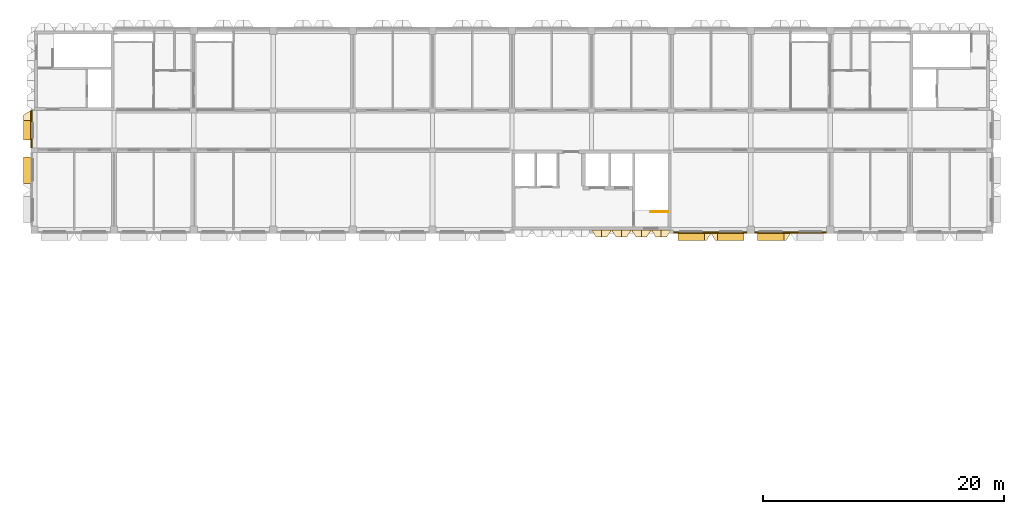
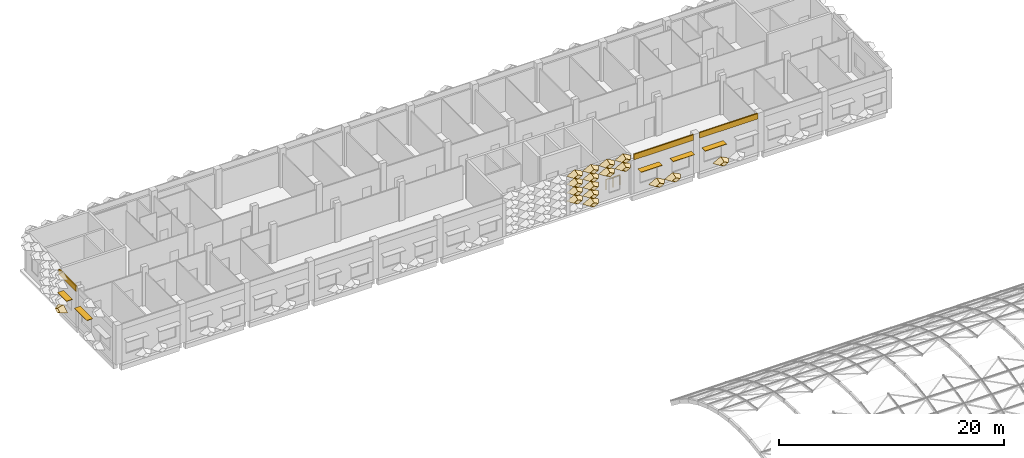
# One storey, part 73 of 85: 20 coverings, 5 shading devices, 1 railing.
"""IFC4 building model written with IfcOpenShell, lengths in metres."""

import ifcopenshell
import ifcopenshell.guid

model = None  # the IFC model being written
_history = None  # IfcOwnerHistory: only IFC2X3 demands one
_inside = {}  # id of a spatial element -> (the spatial element, [elements in it])
_under = {}  # id of a project, library or spatial element -> (it, [spatial elements below it])
_declared = {}  # id of a project -> (the project, [libraries it declares])
_typed = {}  # id of a type object -> (the type object, [elements of that type])
_made_of = {}  # id of a material, layer set ... -> (it, [elements and type objects made of it])


def new_model(schema):
    """Start an empty IFC model of exactly this schema.

    Asked for "IFC4X3", IfcOpenShell would pick the latest addendum, in which some entities
    have other attributes; the version numbers below select the first issue.
    IFC2X3 requires an IfcOwnerHistory on every rooted entity: one is made here for all.
    """
    global model, _history
    if schema == "IFC4X3":
        model = ifcopenshell.file(schema_version=(4, 3, 0, 0))
    else:
        model = ifcopenshell.file(schema=schema)
    _inside.clear()
    _under.clear()
    _declared.clear()
    _typed.clear()
    _made_of.clear()
    _history = None
    if model.schema == "IFC2X3":
        org = make("IfcOrganization", Name="unknown")
        user = make(
            "IfcPersonAndOrganization",
            ThePerson=make("IfcPerson", FamilyName="unknown"),
            TheOrganization=org,
        )
        app = make(
            "IfcApplication",
            ApplicationDeveloper=org,
            Version="unknown",
            ApplicationFullName="unknown",
            ApplicationIdentifier="unknown",
        )
        _history = make(
            "IfcOwnerHistory",
            OwningUser=user,
            OwningApplication=app,
            ChangeAction="ADDED",
            CreationDate=0,
        )
    return model


def make(cls, **values):
    """One entity of the class cls with the attributes given. An attribute that is None is left unset."""
    return model.create_entity(
        cls, **{name: value for name, value in values.items() if value is not None}
    )


def entity(cls, *values):
    """Any entity or typed value of the class cls, its attributes in the order of the schema. None: left unset."""
    e = model.create_entity(cls)
    for i, value in enumerate(values):
        if value is not None:
            e[i] = value
    return e


def rooted(cls, **values):
    """An entity with a GlobalId (a new one), such as an element, a storey or a relation."""
    return make(cls, GlobalId=ifcopenshell.guid.new(), OwnerHistory=_history, **values)


def si_unit(unit_type, name, prefix=None):
    """IfcSIUnit, for example si_unit("LENGTHUNIT", "METRE", prefix="MILLI")."""
    return make("IfcSIUnit", UnitType=unit_type, Prefix=prefix, Name=name)


def assignment(units):
    """IfcUnitAssignment: the units of a project."""
    return None if units is None else make("IfcUnitAssignment", Units=units)


def point(xyz):
    """IfcCartesianPoint."""
    return None if xyz is None else make("IfcCartesianPoint", Coordinates=xyz)


def direction(xyz):
    """IfcDirection."""
    return None if xyz is None else make("IfcDirection", DirectionRatios=xyz)


def frame(location, z_axis=None, x_axis=None):
    """IfcAxis2Placement3D, a coordinate frame: its origin and axes. An axis left out is left unset."""
    return make(
        "IfcAxis2Placement3D",
        Location=point(location),
        Axis=direction(z_axis),
        RefDirection=direction(x_axis),
    )


def frame_2d(location, x_axis=None):
    """IfcAxis2Placement2D, a coordinate frame in the plane: its origin and x axis."""
    return make(
        "IfcAxis2Placement2D", Location=point(location), RefDirection=direction(x_axis)
    )


def origin():
    """The frame at (0, 0, 0) with its axes left unset."""
    return frame((0.0, 0.0, 0.0))


def origin_2d():
    """The frame at (0, 0) in the plane with its x axis left unset."""
    return frame_2d((0.0, 0.0))


def place(relative_to, where):
    """IfcLocalPlacement: puts the frame where relative to a parent placement (None: the world)."""
    return make(
        "IfcLocalPlacement", PlacementRelTo=relative_to, RelativePlacement=where
    )


def context(
    kind, dimensions, precision=None, world=None, true_north=None, identifier=None
):
    """IfcGeometricRepresentationContext, for example the 3D "Model" context."""
    return make(
        "IfcGeometricRepresentationContext",
        ContextIdentifier=identifier,
        ContextType=kind,
        CoordinateSpaceDimension=dimensions,
        Precision=precision,
        WorldCoordinateSystem=world,
        TrueNorth=true_north,
    )


def subcontext(parent, identifier, kind, view, scale=None):
    """IfcGeometricRepresentationSubContext, for example "Body" below "Model"."""
    return make(
        "IfcGeometricRepresentationSubContext",
        ContextIdentifier=identifier,
        ContextType=kind,
        ParentContext=parent,
        TargetScale=scale,
        TargetView=view,
    )


def project(units=None, contexts=None):
    """IfcProject with its units and contexts."""
    return rooted(
        "IfcProject",
        Name="project",
        RepresentationContexts=contexts,
        UnitsInContext=assignment(units),
    )


def spatial(cls, under=None, at=None, **own):
    """A site, building, storey or space (cls), placed at a placement, below another one or the project."""
    s = rooted(cls, ObjectPlacement=at, **own)
    if under is not None:
        _under.setdefault(under.id(), (under, []))[1].append(s)
    return s


def profile(cls, at=None, kind="AREA", **sizes):
    """A parametric profile (cls). Its sizes go by their IFC names, for example OverallWidth=200.0."""
    return make(cls, ProfileType=kind, Position=at, **sizes)


def rectangle(**sizes):
    """IfcRectangleProfileDef."""
    return profile("IfcRectangleProfileDef", **sizes)


def circle(**sizes):
    """IfcCircleProfileDef."""
    return profile("IfcCircleProfileDef", **sizes)


def extrude(swept, where, along, depth):
    """IfcExtrudedAreaSolid: the profile swept, set in the frame where, extruded along a direction by depth."""
    return make(
        "IfcExtrudedAreaSolid",
        SweptArea=swept,
        Position=where,
        ExtrudedDirection=direction(along),
        Depth=depth,
    )


def shape(context_of_items, identifier, shape_type, items):
    """IfcShapeRepresentation: the items that make up one representation, for example the "Body"."""
    return make(
        "IfcShapeRepresentation",
        ContextOfItems=context_of_items,
        RepresentationIdentifier=identifier,
        RepresentationType=shape_type,
        Items=items,
    )


def material(Name=None, Category=None):
    """IfcMaterial."""
    return make("IfcMaterial", Name=Name, Category=Category)


def layer(
    of_material, thickness, ventilated=None, Name=None, Category=None, Priority=None
):
    """IfcMaterialLayer: one layer of a wall or slab, of a material (None: an air gap)."""
    return make(
        "IfcMaterialLayer",
        Material=of_material,
        LayerThickness=thickness,
        IsVentilated=ventilated,
        Name=Name,
        Category=Category,
        Priority=Priority,
    )


def layer_set(layers, Name=None):
    """IfcMaterialLayerSet."""
    return make("IfcMaterialLayerSet", MaterialLayers=layers, LayerSetName=Name)


def made_of(thing, what):
    """Note that an element or type object is made of a material, layer set ...; save() writes the relation."""
    if what is not None:
        _made_of.setdefault(what.id(), (what, []))[1].append(thing)
    return thing


def type_object(cls, material=None, **own):
    """A type object (cls), such as IfcWallType, which elements share."""
    return made_of(rooted(cls, **own), material)


def element(
    cls,
    number,
    at=None,
    inside=None,
    cuts=None,
    type_object=None,
    material=None,
    context=None,
    identifier="Body",
    shape_type=None,
    held_by="IfcProductDefinitionShape",
    body=None,
    shapes=None,
    **own,
):
    """One element of the class cls, such as IfcWall. Its Tag is "e" and its number.

    at: its placement. inside: the storey or other place that contains it. cuts: it is an
    opening in that element (IfcRelVoidsElement). A single representation is given by context,
    identifier, shape_type and body (its items); several are given by shapes. held_by: the class
    of the entity that holds the representations. save() writes the other relations.
    """
    e = rooted(cls, Tag="e%d" % number, ObjectPlacement=at, **own)
    if body is not None:
        shapes = [shape(context, identifier, shape_type, body)]
    if shapes is not None:
        e.Representation = make(held_by, Representations=shapes)
    if inside is not None:
        _inside.setdefault(inside.id(), (inside, []))[1].append(e)
    if cuts is not None:
        rooted(
            "IfcRelVoidsElement", RelatingBuildingElement=cuts, RelatedOpeningElement=e
        )
    if type_object is not None:
        _typed.setdefault(type_object.id(), (type_object, []))[1].append(e)
    return made_of(e, material)


def aggregate(whole, parts):
    """IfcRelAggregates: a whole, such as a stair, and the parts it consists of."""
    return rooted("IfcRelAggregates", RelatingObject=whole, RelatedObjects=parts)


def save(model, path):
    """Write the relations noted so far, then the file.

    IfcRelAggregates (storeys below a building ...), IfcRelContainedInSpatialStructure (elements
    in a storey), IfcRelDefinesByType, IfcRelAssociatesMaterial and IfcRelDeclares: one each for
    every whole, place, type object, material and project.
    """
    for whole, parts in _under.values():
        aggregate(whole, parts)
    for where, things in _inside.values():
        rooted(
            "IfcRelContainedInSpatialStructure",
            RelatedElements=things,
            RelatingStructure=where,
        )
    for kind, things in _typed.values():
        rooted("IfcRelDefinesByType", RelatedObjects=things, RelatingType=kind)
    for what, things in _made_of.values():
        rooted("IfcRelAssociatesMaterial", RelatedObjects=things, RelatingMaterial=what)
    for by, libraries in _declared.values():
        rooted("IfcRelDeclares", RelatingContext=by, RelatedDefinitions=libraries)
    model.write(path)


model = new_model("IFC4")

# Units and contexts
model_context = context("Model", 3, precision=1e-05, world=origin(), true_north=direction((0.0, 1.0)))
body_context = subcontext(model_context, "Body", "Model", "MODEL_VIEW")
ifc_project = project(units=[si_unit("LENGTHUNIT", "METRE"), si_unit("AREAUNIT", "SQUARE_METRE"), si_unit("VOLUMEUNIT", "CUBIC_METRE"), si_unit("PLANEANGLEUNIT", "RADIAN"), si_unit("MASSUNIT", "GRAM", prefix="KILO")], contexts=[model_context])

# Site, building, storey
site_placement = place(None, origin())
site = spatial("IfcSite", under=ifc_project, at=site_placement, CompositionType="ELEMENT")
building_placement = place(site_placement, origin())
building = spatial("IfcBuilding", under=site, at=building_placement, Name="Lantern Court Research Institute", CompositionType="ELEMENT")
storey_placement = place(building_placement, frame((0.0, 0.0, 18.89990234375)))
storey = spatial("IfcBuildingStorey", under=building, at=storey_placement, Name="L04", CompositionType="ELEMENT", Elevation=18.89990234375)

# Shading devices
ifc_material_1 = material(Name="Aluminium alloy 6063-T6", Category="aluminium")
ifc_layer_1 = layer(ifc_material_1, 0.050048828125)
ifc_layer_set_1 = layer_set([ifc_layer_1], Name="Aluminium alloy 6063-T6")
shading_device_type_1 = type_object("IfcShadingDeviceType", Name="Brise-soleil blade 1600 x 600 x 50 aluminium", PredefinedType="USERDEFINED", material=ifc_layer_set_1)
shading_device_placement = place(storey_placement, frame((-0.60009765625, 90.75, 2.39990234375), z_axis=(0.0, 0.0, 1.0), x_axis=(0.0, 1.0, 0.0)))
element("IfcShadingDevice", 1, at=shading_device_placement, inside=storey, type_object=shading_device_type_1, Name="Brise-soleil blade L04 W", ObjectType="LOUVRE", PredefinedType="USERDEFINED", context=body_context, shape_type="SweptSolid", body=[
    extrude(rectangle(XDim=1.60009765625, YDim=0.60009765625, at=origin_2d()), origin(), (0.0, 0.0, 1.0), 0.050048828125),
])
ifc_material_2 = material(Name="Aluminium alloy 6063-T6", Category="aluminium")
ifc_layer_2 = layer(ifc_material_2, 0.050048828125)
ifc_layer_set_2 = layer_set([ifc_layer_2], Name="Aluminium alloy 6063-T6")
shading_device_type_2 = type_object("IfcShadingDeviceType", Name="Brise-soleil blade 2200 x 600 x 50 aluminium", PredefinedType="USERDEFINED", material=ifc_layer_set_2)
for number, where, z_axis, x_axis, name in (
    (2, (54.449951171875, 81.89990234375, 2.5), (0.0, 0.0, 1.0), (-1.0, 0.0, 0.0), "Brise-soleil blade L04 S"),
    (3, (57.75, 81.89990234375, 2.5), (0.0, 0.0, 1.0), (-1.0, 0.0, 0.0), "Brise-soleil blade L04 S"),
    (4, (61.050048828125, 81.89990234375, 2.5), (0.0, 0.0, 1.0), (-1.0, 0.0, 0.0), "Brise-soleil blade L04 S"),
    (5, (-0.60009765625, 87.449951171875, 2.5), (0.0, 0.0, 1.0), (0.0, 1.0, 0.0), "Brise-soleil blade L04 W"),
):
    element("IfcShadingDevice", number, at=place(storey_placement, frame(where, z_axis=z_axis, x_axis=x_axis)), inside=storey, type_object=shading_device_type_2, Name=name, ObjectType="LOUVRE", PredefinedType="USERDEFINED", context=body_context, shape_type="SweptSolid", body=[
        extrude(rectangle(XDim=2.199951171875, YDim=0.60009765625, at=origin_2d()), origin(), (0.0, 0.0, 1.0), 0.050048828125),
    ])

# Coverings
ifc_material_3 = material(Name="Aluminium composite panel with mineral wool insulation", Category="aluminium")
ifc_layer_3 = layer(ifc_material_3, 0.125)
ifc_layer_set_3 = layer_set([ifc_layer_3], Name="Aluminium composite panel with mineral wool insulation")
covering_type_1 = type_object("IfcCoveringType", Name="Edge fascia panel 125 aluminium faced", PredefinedType="CLADDING", material=ifc_layer_set_3)
covering_1_placement = place(storey_placement, frame((59.10009765625, 82.262451171875, 3.650146484375), z_axis=(0.0, 0.0, 1.0), x_axis=(-1.0, 0.0, 0.0)))
element("IfcCovering", 6, at=covering_1_placement, inside=storey, type_object=covering_type_1, Name="Edge fascia V6S L04 07", PredefinedType="CLADDING", context=body_context, shape_type="SweptSolid", body=[
    extrude(rectangle(XDim=6.125, YDim=0.125, at=frame_2d((3.0625, 0.0))), origin(), (0.0, 0.0, 1.0), 0.599853515625),
])
covering_2_placement = place(storey_placement, frame((65.699951171875, 82.262451171875, 3.650146484375), z_axis=(0.0, 0.0, 1.0), x_axis=(-1.0, 0.0, 0.0)))
element("IfcCovering", 7, at=covering_2_placement, inside=storey, type_object=covering_type_1, Name="Edge fascia V6S L04 08", PredefinedType="CLADDING", context=body_context, shape_type="SweptSolid", body=[
    extrude(rectangle(XDim=6.0, YDim=0.125, at=frame_2d((3.0, 0.0))), origin(), (0.0, 0.0, 1.0), 0.599853515625),
])
covering_3_placement = place(storey_placement, frame((-0.237548828125, 89.300048828125, 3.650146484375), z_axis=(0.0, 0.0, 1.0), x_axis=(0.0, 1.0, 0.0)))
element("IfcCovering", 8, at=covering_3_placement, inside=storey, type_object=covering_type_1, Name="Edge fascia V6W L04 02", PredefinedType="CLADDING", context=body_context, shape_type="SweptSolid", body=[
    extrude(rectangle(XDim=3.099853515625, YDim=0.125, at=frame_2d((1.5498046875, 0.0))), origin(), (0.0, 0.0, 1.0), 0.599853515625),
])
ifc_material_4 = material(Name="Anodised aluminium", Category="aluminium")
ifc_layer_4 = layer(ifc_material_4, 0.01611328125)
ifc_layer_set_4 = layer_set([ifc_layer_4], Name="Anodised aluminium")
covering_type_2 = type_object("IfcCoveringType", Name="Fin cassette 1650 x 900 x 600 aluminium", PredefinedType="CLADDING", material=ifc_layer_set_4)
covering_4_placement = place(storey_placement, frame((48.675048828125, 82.5, 0.4501953125), z_axis=(0.0, -1.0, 0.0), x_axis=(1.0, 0.0, 0.0)))
cartesian_point_1 = entity("IfcCartesianPoint", [0.824951171875, 0.0])
cartesian_point_2 = entity("IfcCartesianPoint", [0.79150390625, 0.0])
cartesian_point_3 = entity("IfcCartesianPoint", [0.44189453125, 0.0])
cartesian_point_4 = entity("IfcCartesianPoint", [0.43359375, 0.0])
element("IfcCovering", 9, at=covering_4_placement, inside=storey, type_object=covering_type_2, Name="Fin cassette V6S-L04 1.30", PredefinedType="CLADDING", context=body_context, shape_type="SweptSolid", body=[
    entity("IfcExtrudedAreaSolidTapered", entity("IfcArbitraryProfileDefWithVoids", "AREA", None, entity("IfcPolyline", [cartesian_point_1, entity("IfcCartesianPoint", [0.0, 0.449951171875]), entity("IfcCartesianPoint", [-0.824951171875, 0.0]), entity("IfcCartesianPoint", [0.0, -0.449951171875]), cartesian_point_1]), [entity("IfcPolyline", [cartesian_point_2, entity("IfcCartesianPoint", [0.0, 0.431884765625]), entity("IfcCartesianPoint", [-0.79150390625, 0.0]), entity("IfcCartesianPoint", [0.0, -0.431884765625]), cartesian_point_2])]), entity("IfcAxis2Placement3D", entity("IfcCartesianPoint", [0.0, 0.0, 0.0])), entity("IfcDirection", [0.0, 0.0, 1.0]), 0.60009765625, entity("IfcArbitraryProfileDefWithVoids", "AREA", None, entity("IfcPolyline", [cartesian_point_3, entity("IfcCartesianPoint", [0.0, 0.240966796875]), entity("IfcCartesianPoint", [-0.44189453125, 0.0]), entity("IfcCartesianPoint", [0.0, -0.240966796875]), cartesian_point_3]), [entity("IfcPolyline", [cartesian_point_4, entity("IfcCartesianPoint", [0.0, 0.236572265625]), entity("IfcCartesianPoint", [-0.43359375, 0.0]), entity("IfcCartesianPoint", [0.0, -0.236572265625]), cartesian_point_4])])),
])
covering_5_placement = place(storey_placement, frame((47.02490234375, 82.5, 1.35009765625), z_axis=(0.0, -1.0, 0.0), x_axis=(1.0, 0.0, 0.0)))
cartesian_point_5 = entity("IfcCartesianPoint", [0.824951171875, 0.0])
cartesian_point_6 = entity("IfcCartesianPoint", [0.79150390625, 0.0])
cartesian_point_7 = entity("IfcCartesianPoint", [0.44189453125, 0.0])
cartesian_point_8 = entity("IfcCartesianPoint", [0.43359375, 0.0])
element("IfcCovering", 10, at=covering_5_placement, inside=storey, type_object=covering_type_2, Name="Fin cassette V6S-L04 2.29", PredefinedType="CLADDING", context=body_context, shape_type="SweptSolid", body=[
    entity("IfcExtrudedAreaSolidTapered", entity("IfcArbitraryProfileDefWithVoids", "AREA", None, entity("IfcPolyline", [cartesian_point_5, entity("IfcCartesianPoint", [0.0, 0.449951171875]), entity("IfcCartesianPoint", [-0.824951171875, 0.0]), entity("IfcCartesianPoint", [0.0, -0.449951171875]), cartesian_point_5]), [entity("IfcPolyline", [cartesian_point_6, entity("IfcCartesianPoint", [0.0, 0.431884765625]), entity("IfcCartesianPoint", [-0.79150390625, 0.0]), entity("IfcCartesianPoint", [0.0, -0.431884765625]), cartesian_point_6])]), entity("IfcAxis2Placement3D", entity("IfcCartesianPoint", [0.0, 0.0, 0.0])), entity("IfcDirection", [0.0, 0.0, 1.0]), 0.60009765625, entity("IfcArbitraryProfileDefWithVoids", "AREA", None, entity("IfcPolyline", [cartesian_point_7, entity("IfcCartesianPoint", [0.0, 0.240966796875]), entity("IfcCartesianPoint", [-0.44189453125, 0.0]), entity("IfcCartesianPoint", [0.0, -0.240966796875]), cartesian_point_7]), [entity("IfcPolyline", [cartesian_point_8, entity("IfcCartesianPoint", [0.0, 0.236572265625]), entity("IfcCartesianPoint", [-0.43359375, 0.0]), entity("IfcCartesianPoint", [0.0, -0.236572265625]), cartesian_point_8])])),
])
covering_6_placement = place(storey_placement, frame((48.675048828125, 82.5, 1.35009765625), z_axis=(0.0, -1.0, 0.0), x_axis=(1.0, 0.0, 0.0)))
cartesian_point_9 = entity("IfcCartesianPoint", [0.824951171875, 0.0])
cartesian_point_10 = entity("IfcCartesianPoint", [0.79150390625, 0.0])
cartesian_point_11 = entity("IfcCartesianPoint", [0.44189453125, 0.0])
cartesian_point_12 = entity("IfcCartesianPoint", [0.43359375, 0.0])
element("IfcCovering", 11, at=covering_6_placement, inside=storey, type_object=covering_type_2, Name="Fin cassette V6S-L04 2.30", PredefinedType="CLADDING", context=body_context, shape_type="SweptSolid", body=[
    entity("IfcExtrudedAreaSolidTapered", entity("IfcArbitraryProfileDefWithVoids", "AREA", None, entity("IfcPolyline", [cartesian_point_9, entity("IfcCartesianPoint", [0.0, 0.449951171875]), entity("IfcCartesianPoint", [-0.824951171875, 0.0]), entity("IfcCartesianPoint", [0.0, -0.449951171875]), cartesian_point_9]), [entity("IfcPolyline", [cartesian_point_10, entity("IfcCartesianPoint", [0.0, 0.431884765625]), entity("IfcCartesianPoint", [-0.79150390625, 0.0]), entity("IfcCartesianPoint", [0.0, -0.431884765625]), cartesian_point_10])]), entity("IfcAxis2Placement3D", entity("IfcCartesianPoint", [0.0, 0.0, 0.0])), entity("IfcDirection", [0.0, 0.0, 1.0]), 0.60009765625, entity("IfcArbitraryProfileDefWithVoids", "AREA", None, entity("IfcPolyline", [cartesian_point_11, entity("IfcCartesianPoint", [0.0, 0.240966796875]), entity("IfcCartesianPoint", [-0.44189453125, 0.0]), entity("IfcCartesianPoint", [0.0, -0.240966796875]), cartesian_point_11]), [entity("IfcPolyline", [cartesian_point_12, entity("IfcCartesianPoint", [0.0, 0.236572265625]), entity("IfcCartesianPoint", [-0.43359375, 0.0]), entity("IfcCartesianPoint", [0.0, -0.236572265625]), cartesian_point_12])])),
])
covering_7_placement = place(storey_placement, frame((47.02490234375, 82.5, 2.25), z_axis=(0.0, -1.0, 0.0), x_axis=(1.0, 0.0, 0.0)))
cartesian_point_13 = entity("IfcCartesianPoint", [0.824951171875, 0.0])
cartesian_point_14 = entity("IfcCartesianPoint", [0.79150390625, 0.0])
cartesian_point_15 = entity("IfcCartesianPoint", [0.44189453125, 0.0])
cartesian_point_16 = entity("IfcCartesianPoint", [0.43359375, 0.0])
element("IfcCovering", 12, at=covering_7_placement, inside=storey, type_object=covering_type_2, Name="Fin cassette V6S-L04 3.29", PredefinedType="CLADDING", context=body_context, shape_type="SweptSolid", body=[
    entity("IfcExtrudedAreaSolidTapered", entity("IfcArbitraryProfileDefWithVoids", "AREA", None, entity("IfcPolyline", [cartesian_point_13, entity("IfcCartesianPoint", [0.0, 0.449951171875]), entity("IfcCartesianPoint", [-0.824951171875, 0.0]), entity("IfcCartesianPoint", [0.0, -0.449951171875]), cartesian_point_13]), [entity("IfcPolyline", [cartesian_point_14, entity("IfcCartesianPoint", [0.0, 0.431884765625]), entity("IfcCartesianPoint", [-0.79150390625, 0.0]), entity("IfcCartesianPoint", [0.0, -0.431884765625]), cartesian_point_14])]), entity("IfcAxis2Placement3D", entity("IfcCartesianPoint", [0.0, 0.0, 0.0])), entity("IfcDirection", [0.0, 0.0, 1.0]), 0.60009765625, entity("IfcArbitraryProfileDefWithVoids", "AREA", None, entity("IfcPolyline", [cartesian_point_15, entity("IfcCartesianPoint", [0.0, 0.240966796875]), entity("IfcCartesianPoint", [-0.44189453125, 0.0]), entity("IfcCartesianPoint", [0.0, -0.240966796875]), cartesian_point_15]), [entity("IfcPolyline", [cartesian_point_16, entity("IfcCartesianPoint", [0.0, 0.236572265625]), entity("IfcCartesianPoint", [-0.43359375, 0.0]), entity("IfcCartesianPoint", [0.0, -0.236572265625]), cartesian_point_16])])),
])
covering_8_placement = place(storey_placement, frame((48.675048828125, 82.5, 2.25), z_axis=(0.0, -1.0, 0.0), x_axis=(1.0, 0.0, 0.0)))
cartesian_point_17 = entity("IfcCartesianPoint", [0.824951171875, 0.0])
cartesian_point_18 = entity("IfcCartesianPoint", [0.79150390625, 0.0])
cartesian_point_19 = entity("IfcCartesianPoint", [0.44189453125, 0.0])
cartesian_point_20 = entity("IfcCartesianPoint", [0.43359375, 0.0])
element("IfcCovering", 13, at=covering_8_placement, inside=storey, type_object=covering_type_2, Name="Fin cassette V6S-L04 3.30", PredefinedType="CLADDING", context=body_context, shape_type="SweptSolid", body=[
    entity("IfcExtrudedAreaSolidTapered", entity("IfcArbitraryProfileDefWithVoids", "AREA", None, entity("IfcPolyline", [cartesian_point_17, entity("IfcCartesianPoint", [0.0, 0.449951171875]), entity("IfcCartesianPoint", [-0.824951171875, 0.0]), entity("IfcCartesianPoint", [0.0, -0.449951171875]), cartesian_point_17]), [entity("IfcPolyline", [cartesian_point_18, entity("IfcCartesianPoint", [0.0, 0.431884765625]), entity("IfcCartesianPoint", [-0.79150390625, 0.0]), entity("IfcCartesianPoint", [0.0, -0.431884765625]), cartesian_point_18])]), entity("IfcAxis2Placement3D", entity("IfcCartesianPoint", [0.0, 0.0, 0.0])), entity("IfcDirection", [0.0, 0.0, 1.0]), 0.60009765625, entity("IfcArbitraryProfileDefWithVoids", "AREA", None, entity("IfcPolyline", [cartesian_point_19, entity("IfcCartesianPoint", [0.0, 0.240966796875]), entity("IfcCartesianPoint", [-0.44189453125, 0.0]), entity("IfcCartesianPoint", [0.0, -0.240966796875]), cartesian_point_19]), [entity("IfcPolyline", [cartesian_point_20, entity("IfcCartesianPoint", [0.0, 0.236572265625]), entity("IfcCartesianPoint", [-0.43359375, 0.0]), entity("IfcCartesianPoint", [0.0, -0.236572265625]), cartesian_point_20])])),
])
covering_9_placement = place(storey_placement, frame((47.02490234375, 82.5, 3.150146484375), z_axis=(0.0, -1.0, 0.0), x_axis=(1.0, 0.0, 0.0)))
cartesian_point_21 = entity("IfcCartesianPoint", [0.824951171875, 0.0])
cartesian_point_22 = entity("IfcCartesianPoint", [0.79150390625, 0.0])
cartesian_point_23 = entity("IfcCartesianPoint", [0.44189453125, 0.0])
cartesian_point_24 = entity("IfcCartesianPoint", [0.43359375, 0.0])
element("IfcCovering", 14, at=covering_9_placement, inside=storey, type_object=covering_type_2, Name="Fin cassette V6S-L04 4.29", PredefinedType="CLADDING", context=body_context, shape_type="SweptSolid", body=[
    entity("IfcExtrudedAreaSolidTapered", entity("IfcArbitraryProfileDefWithVoids", "AREA", None, entity("IfcPolyline", [cartesian_point_21, entity("IfcCartesianPoint", [0.0, 0.449951171875]), entity("IfcCartesianPoint", [-0.824951171875, 0.0]), entity("IfcCartesianPoint", [0.0, -0.449951171875]), cartesian_point_21]), [entity("IfcPolyline", [cartesian_point_22, entity("IfcCartesianPoint", [0.0, 0.431884765625]), entity("IfcCartesianPoint", [-0.79150390625, 0.0]), entity("IfcCartesianPoint", [0.0, -0.431884765625]), cartesian_point_22])]), entity("IfcAxis2Placement3D", entity("IfcCartesianPoint", [0.0, 0.0, 0.0])), entity("IfcDirection", [0.0, 0.0, 1.0]), 0.60009765625, entity("IfcArbitraryProfileDefWithVoids", "AREA", None, entity("IfcPolyline", [cartesian_point_23, entity("IfcCartesianPoint", [0.0, 0.240966796875]), entity("IfcCartesianPoint", [-0.44189453125, 0.0]), entity("IfcCartesianPoint", [0.0, -0.240966796875]), cartesian_point_23]), [entity("IfcPolyline", [cartesian_point_24, entity("IfcCartesianPoint", [0.0, 0.236572265625]), entity("IfcCartesianPoint", [-0.43359375, 0.0]), entity("IfcCartesianPoint", [0.0, -0.236572265625]), cartesian_point_24])])),
])
covering_10_placement = place(storey_placement, frame((48.675048828125, 82.5, 3.150146484375), z_axis=(0.0, -1.0, 0.0), x_axis=(1.0, 0.0, 0.0)))
cartesian_point_25 = entity("IfcCartesianPoint", [0.824951171875, 0.0])
cartesian_point_26 = entity("IfcCartesianPoint", [0.79150390625, 0.0])
cartesian_point_27 = entity("IfcCartesianPoint", [0.44189453125, 0.0])
cartesian_point_28 = entity("IfcCartesianPoint", [0.43359375, 0.0])
element("IfcCovering", 15, at=covering_10_placement, inside=storey, type_object=covering_type_2, Name="Fin cassette V6S-L04 4.30", PredefinedType="CLADDING", context=body_context, shape_type="SweptSolid", body=[
    entity("IfcExtrudedAreaSolidTapered", entity("IfcArbitraryProfileDefWithVoids", "AREA", None, entity("IfcPolyline", [cartesian_point_25, entity("IfcCartesianPoint", [0.0, 0.449951171875]), entity("IfcCartesianPoint", [-0.824951171875, 0.0]), entity("IfcCartesianPoint", [0.0, -0.449951171875]), cartesian_point_25]), [entity("IfcPolyline", [cartesian_point_26, entity("IfcCartesianPoint", [0.0, 0.431884765625]), entity("IfcCartesianPoint", [-0.79150390625, 0.0]), entity("IfcCartesianPoint", [0.0, -0.431884765625]), cartesian_point_26])]), entity("IfcAxis2Placement3D", entity("IfcCartesianPoint", [0.0, 0.0, 0.0])), entity("IfcDirection", [0.0, 0.0, 1.0]), 0.60009765625, entity("IfcArbitraryProfileDefWithVoids", "AREA", None, entity("IfcPolyline", [cartesian_point_27, entity("IfcCartesianPoint", [0.0, 0.240966796875]), entity("IfcCartesianPoint", [-0.44189453125, 0.0]), entity("IfcCartesianPoint", [0.0, -0.240966796875]), cartesian_point_27]), [entity("IfcPolyline", [cartesian_point_28, entity("IfcCartesianPoint", [0.0, 0.236572265625]), entity("IfcCartesianPoint", [-0.43359375, 0.0]), entity("IfcCartesianPoint", [0.0, -0.236572265625]), cartesian_point_28])])),
])
covering_11_placement = place(storey_placement, frame((50.324951171875, 82.5, 3.150146484375), z_axis=(0.0, -1.0, 0.0), x_axis=(1.0, 0.0, 0.0)))
cartesian_point_29 = entity("IfcCartesianPoint", [0.824951171875, 0.0])
cartesian_point_30 = entity("IfcCartesianPoint", [0.79150390625, 0.0])
cartesian_point_31 = entity("IfcCartesianPoint", [0.44189453125, 0.0])
cartesian_point_32 = entity("IfcCartesianPoint", [0.43359375, 0.0])
element("IfcCovering", 16, at=covering_11_placement, inside=storey, type_object=covering_type_2, Name="Fin cassette V6S-L04 4.31", PredefinedType="CLADDING", context=body_context, shape_type="SweptSolid", body=[
    entity("IfcExtrudedAreaSolidTapered", entity("IfcArbitraryProfileDefWithVoids", "AREA", None, entity("IfcPolyline", [cartesian_point_29, entity("IfcCartesianPoint", [0.0, 0.449951171875]), entity("IfcCartesianPoint", [-0.824951171875, 0.0]), entity("IfcCartesianPoint", [0.0, -0.449951171875]), cartesian_point_29]), [entity("IfcPolyline", [cartesian_point_30, entity("IfcCartesianPoint", [0.0, 0.431884765625]), entity("IfcCartesianPoint", [-0.79150390625, 0.0]), entity("IfcCartesianPoint", [0.0, -0.431884765625]), cartesian_point_30])]), entity("IfcAxis2Placement3D", entity("IfcCartesianPoint", [0.0, 0.0, 0.0])), entity("IfcDirection", [0.0, 0.0, 1.0]), 0.60009765625, entity("IfcArbitraryProfileDefWithVoids", "AREA", None, entity("IfcPolyline", [cartesian_point_31, entity("IfcCartesianPoint", [0.0, 0.240966796875]), entity("IfcCartesianPoint", [-0.44189453125, 0.0]), entity("IfcCartesianPoint", [0.0, -0.240966796875]), cartesian_point_31]), [entity("IfcPolyline", [cartesian_point_32, entity("IfcCartesianPoint", [0.0, 0.236572265625]), entity("IfcCartesianPoint", [-0.43359375, 0.0]), entity("IfcCartesianPoint", [0.0, -0.236572265625]), cartesian_point_32])])),
])
covering_12_placement = place(storey_placement, frame((51.97509765625, 82.5, 3.150146484375), z_axis=(0.0, -1.0, 0.0), x_axis=(1.0, 0.0, 0.0)))
cartesian_point_33 = entity("IfcCartesianPoint", [0.824951171875, 0.0])
cartesian_point_34 = entity("IfcCartesianPoint", [0.79150390625, 0.0])
cartesian_point_35 = entity("IfcCartesianPoint", [0.44189453125, 0.0])
cartesian_point_36 = entity("IfcCartesianPoint", [0.43359375, 0.0])
element("IfcCovering", 17, at=covering_12_placement, inside=storey, type_object=covering_type_2, Name="Fin cassette V6S-L04 4.32", PredefinedType="CLADDING", context=body_context, shape_type="SweptSolid", body=[
    entity("IfcExtrudedAreaSolidTapered", entity("IfcArbitraryProfileDefWithVoids", "AREA", None, entity("IfcPolyline", [cartesian_point_33, entity("IfcCartesianPoint", [0.0, 0.449951171875]), entity("IfcCartesianPoint", [-0.824951171875, 0.0]), entity("IfcCartesianPoint", [0.0, -0.449951171875]), cartesian_point_33]), [entity("IfcPolyline", [cartesian_point_34, entity("IfcCartesianPoint", [0.0, 0.431884765625]), entity("IfcCartesianPoint", [-0.79150390625, 0.0]), entity("IfcCartesianPoint", [0.0, -0.431884765625]), cartesian_point_34])]), entity("IfcAxis2Placement3D", entity("IfcCartesianPoint", [0.0, 0.0, 0.0])), entity("IfcDirection", [0.0, 0.0, 1.0]), 0.60009765625, entity("IfcArbitraryProfileDefWithVoids", "AREA", None, entity("IfcPolyline", [cartesian_point_35, entity("IfcCartesianPoint", [0.0, 0.240966796875]), entity("IfcCartesianPoint", [-0.44189453125, 0.0]), entity("IfcCartesianPoint", [0.0, -0.240966796875]), cartesian_point_35]), [entity("IfcPolyline", [cartesian_point_36, entity("IfcCartesianPoint", [0.0, 0.236572265625]), entity("IfcCartesianPoint", [-0.43359375, 0.0]), entity("IfcCartesianPoint", [0.0, -0.236572265625]), cartesian_point_36])])),
])
covering_13_placement = place(storey_placement, frame((47.02490234375, 82.5, 4.050048828125), z_axis=(0.0, -1.0, 0.0), x_axis=(1.0, 0.0, 0.0)))
cartesian_point_37 = entity("IfcCartesianPoint", [0.824951171875, 0.0])
cartesian_point_38 = entity("IfcCartesianPoint", [0.79150390625, 0.0])
cartesian_point_39 = entity("IfcCartesianPoint", [0.44189453125, 0.0])
cartesian_point_40 = entity("IfcCartesianPoint", [0.43359375, 0.0])
element("IfcCovering", 18, at=covering_13_placement, inside=storey, type_object=covering_type_2, Name="Fin cassette V6S-L04 5.29", PredefinedType="CLADDING", context=body_context, shape_type="SweptSolid", body=[
    entity("IfcExtrudedAreaSolidTapered", entity("IfcArbitraryProfileDefWithVoids", "AREA", None, entity("IfcPolyline", [cartesian_point_37, entity("IfcCartesianPoint", [0.0, 0.449951171875]), entity("IfcCartesianPoint", [-0.824951171875, 0.0]), entity("IfcCartesianPoint", [0.0, -0.449951171875]), cartesian_point_37]), [entity("IfcPolyline", [cartesian_point_38, entity("IfcCartesianPoint", [0.0, 0.431884765625]), entity("IfcCartesianPoint", [-0.79150390625, 0.0]), entity("IfcCartesianPoint", [0.0, -0.431884765625]), cartesian_point_38])]), entity("IfcAxis2Placement3D", entity("IfcCartesianPoint", [0.0, 0.0, 0.0])), entity("IfcDirection", [0.0, 0.0, 1.0]), 0.60009765625, entity("IfcArbitraryProfileDefWithVoids", "AREA", None, entity("IfcPolyline", [cartesian_point_39, entity("IfcCartesianPoint", [0.0, 0.240966796875]), entity("IfcCartesianPoint", [-0.44189453125, 0.0]), entity("IfcCartesianPoint", [0.0, -0.240966796875]), cartesian_point_39]), [entity("IfcPolyline", [cartesian_point_40, entity("IfcCartesianPoint", [0.0, 0.236572265625]), entity("IfcCartesianPoint", [-0.43359375, 0.0]), entity("IfcCartesianPoint", [0.0, -0.236572265625]), cartesian_point_40])])),
])
covering_14_placement = place(storey_placement, frame((48.675048828125, 82.5, 4.050048828125), z_axis=(0.0, -1.0, 0.0), x_axis=(1.0, 0.0, 0.0)))
cartesian_point_41 = entity("IfcCartesianPoint", [0.824951171875, 0.0])
cartesian_point_42 = entity("IfcCartesianPoint", [0.79150390625, 0.0])
cartesian_point_43 = entity("IfcCartesianPoint", [0.44189453125, 0.0])
cartesian_point_44 = entity("IfcCartesianPoint", [0.43359375, 0.0])
element("IfcCovering", 19, at=covering_14_placement, inside=storey, type_object=covering_type_2, Name="Fin cassette V6S-L04 5.30", PredefinedType="CLADDING", context=body_context, shape_type="SweptSolid", body=[
    entity("IfcExtrudedAreaSolidTapered", entity("IfcArbitraryProfileDefWithVoids", "AREA", None, entity("IfcPolyline", [cartesian_point_41, entity("IfcCartesianPoint", [0.0, 0.449951171875]), entity("IfcCartesianPoint", [-0.824951171875, 0.0]), entity("IfcCartesianPoint", [0.0, -0.449951171875]), cartesian_point_41]), [entity("IfcPolyline", [cartesian_point_42, entity("IfcCartesianPoint", [0.0, 0.431884765625]), entity("IfcCartesianPoint", [-0.79150390625, 0.0]), entity("IfcCartesianPoint", [0.0, -0.431884765625]), cartesian_point_42])]), entity("IfcAxis2Placement3D", entity("IfcCartesianPoint", [0.0, 0.0, 0.0])), entity("IfcDirection", [0.0, 0.0, 1.0]), 0.60009765625, entity("IfcArbitraryProfileDefWithVoids", "AREA", None, entity("IfcPolyline", [cartesian_point_43, entity("IfcCartesianPoint", [0.0, 0.240966796875]), entity("IfcCartesianPoint", [-0.44189453125, 0.0]), entity("IfcCartesianPoint", [0.0, -0.240966796875]), cartesian_point_43]), [entity("IfcPolyline", [cartesian_point_44, entity("IfcCartesianPoint", [0.0, 0.236572265625]), entity("IfcCartesianPoint", [-0.43359375, 0.0]), entity("IfcCartesianPoint", [0.0, -0.236572265625]), cartesian_point_44])])),
])
covering_15_placement = place(storey_placement, frame((50.324951171875, 82.5, 4.050048828125), z_axis=(0.0, -1.0, 0.0), x_axis=(1.0, 0.0, 0.0)))
cartesian_point_45 = entity("IfcCartesianPoint", [0.824951171875, 0.0])
cartesian_point_46 = entity("IfcCartesianPoint", [0.79150390625, 0.0])
cartesian_point_47 = entity("IfcCartesianPoint", [0.44189453125, 0.0])
cartesian_point_48 = entity("IfcCartesianPoint", [0.43359375, 0.0])
element("IfcCovering", 20, at=covering_15_placement, inside=storey, type_object=covering_type_2, Name="Fin cassette V6S-L04 5.31", PredefinedType="CLADDING", context=body_context, shape_type="SweptSolid", body=[
    entity("IfcExtrudedAreaSolidTapered", entity("IfcArbitraryProfileDefWithVoids", "AREA", None, entity("IfcPolyline", [cartesian_point_45, entity("IfcCartesianPoint", [0.0, 0.449951171875]), entity("IfcCartesianPoint", [-0.824951171875, 0.0]), entity("IfcCartesianPoint", [0.0, -0.449951171875]), cartesian_point_45]), [entity("IfcPolyline", [cartesian_point_46, entity("IfcCartesianPoint", [0.0, 0.431884765625]), entity("IfcCartesianPoint", [-0.79150390625, 0.0]), entity("IfcCartesianPoint", [0.0, -0.431884765625]), cartesian_point_46])]), entity("IfcAxis2Placement3D", entity("IfcCartesianPoint", [0.0, 0.0, 0.0])), entity("IfcDirection", [0.0, 0.0, 1.0]), 0.60009765625, entity("IfcArbitraryProfileDefWithVoids", "AREA", None, entity("IfcPolyline", [cartesian_point_47, entity("IfcCartesianPoint", [0.0, 0.240966796875]), entity("IfcCartesianPoint", [-0.44189453125, 0.0]), entity("IfcCartesianPoint", [0.0, -0.240966796875]), cartesian_point_47]), [entity("IfcPolyline", [cartesian_point_48, entity("IfcCartesianPoint", [0.0, 0.236572265625]), entity("IfcCartesianPoint", [-0.43359375, 0.0]), entity("IfcCartesianPoint", [0.0, -0.236572265625]), cartesian_point_48])])),
])
covering_16_placement = place(storey_placement, frame((51.97509765625, 82.5, 4.050048828125), z_axis=(0.0, -1.0, 0.0), x_axis=(1.0, 0.0, 0.0)))
cartesian_point_49 = entity("IfcCartesianPoint", [0.824951171875, 0.0])
cartesian_point_50 = entity("IfcCartesianPoint", [0.79150390625, 0.0])
cartesian_point_51 = entity("IfcCartesianPoint", [0.44189453125, 0.0])
cartesian_point_52 = entity("IfcCartesianPoint", [0.43359375, 0.0])
element("IfcCovering", 21, at=covering_16_placement, inside=storey, type_object=covering_type_2, Name="Fin cassette V6S-L04 5.32", PredefinedType="CLADDING", context=body_context, shape_type="SweptSolid", body=[
    entity("IfcExtrudedAreaSolidTapered", entity("IfcArbitraryProfileDefWithVoids", "AREA", None, entity("IfcPolyline", [cartesian_point_49, entity("IfcCartesianPoint", [0.0, 0.449951171875]), entity("IfcCartesianPoint", [-0.824951171875, 0.0]), entity("IfcCartesianPoint", [0.0, -0.449951171875]), cartesian_point_49]), [entity("IfcPolyline", [cartesian_point_50, entity("IfcCartesianPoint", [0.0, 0.431884765625]), entity("IfcCartesianPoint", [-0.79150390625, 0.0]), entity("IfcCartesianPoint", [0.0, -0.431884765625]), cartesian_point_50])]), entity("IfcAxis2Placement3D", entity("IfcCartesianPoint", [0.0, 0.0, 0.0])), entity("IfcDirection", [0.0, 0.0, 1.0]), 0.60009765625, entity("IfcArbitraryProfileDefWithVoids", "AREA", None, entity("IfcPolyline", [cartesian_point_51, entity("IfcCartesianPoint", [0.0, 0.240966796875]), entity("IfcCartesianPoint", [-0.44189453125, 0.0]), entity("IfcCartesianPoint", [0.0, -0.240966796875]), cartesian_point_51]), [entity("IfcPolyline", [cartesian_point_52, entity("IfcCartesianPoint", [0.0, 0.236572265625]), entity("IfcCartesianPoint", [-0.43359375, 0.0]), entity("IfcCartesianPoint", [0.0, -0.236572265625]), cartesian_point_52])])),
])
covering_17_placement = place(storey_placement, frame((55.27490234375, 82.199951171875, 0.4501953125), z_axis=(0.0, -1.0, 0.0), x_axis=(1.0, 0.0, 0.0)))
cartesian_point_53 = entity("IfcCartesianPoint", [0.824951171875, 0.0])
cartesian_point_54 = entity("IfcCartesianPoint", [0.79150390625, 0.0])
cartesian_point_55 = entity("IfcCartesianPoint", [0.44189453125, 0.0])
cartesian_point_56 = entity("IfcCartesianPoint", [0.43359375, 0.0])
element("IfcCovering", 22, at=covering_17_placement, inside=storey, type_object=covering_type_2, Name="Fin cassette V6S-L04 1.34", PredefinedType="CLADDING", context=body_context, shape_type="SweptSolid", body=[
    entity("IfcExtrudedAreaSolidTapered", entity("IfcArbitraryProfileDefWithVoids", "AREA", None, entity("IfcPolyline", [cartesian_point_53, entity("IfcCartesianPoint", [0.0, 0.449951171875]), entity("IfcCartesianPoint", [-0.824951171875, 0.0]), entity("IfcCartesianPoint", [0.0, -0.449951171875]), cartesian_point_53]), [entity("IfcPolyline", [cartesian_point_54, entity("IfcCartesianPoint", [0.0, 0.431884765625]), entity("IfcCartesianPoint", [-0.79150390625, 0.0]), entity("IfcCartesianPoint", [0.0, -0.431884765625]), cartesian_point_54])]), entity("IfcAxis2Placement3D", entity("IfcCartesianPoint", [0.0, 0.0, 0.0])), entity("IfcDirection", [0.0, 0.0, 1.0]), 0.60009765625, entity("IfcArbitraryProfileDefWithVoids", "AREA", None, entity("IfcPolyline", [cartesian_point_55, entity("IfcCartesianPoint", [0.0, 0.240966796875]), entity("IfcCartesianPoint", [-0.44189453125, 0.0]), entity("IfcCartesianPoint", [0.0, -0.240966796875]), cartesian_point_55]), [entity("IfcPolyline", [cartesian_point_56, entity("IfcCartesianPoint", [0.0, 0.236572265625]), entity("IfcCartesianPoint", [-0.43359375, 0.0]), entity("IfcCartesianPoint", [0.0, -0.236572265625]), cartesian_point_56])])),
])
covering_18_placement = place(storey_placement, frame((56.925048828125, 82.199951171875, 0.4501953125), z_axis=(0.0, -1.0, 0.0), x_axis=(1.0, 0.0, 0.0)))
cartesian_point_57 = entity("IfcCartesianPoint", [0.824951171875, 0.0])
cartesian_point_58 = entity("IfcCartesianPoint", [0.79150390625, 0.0])
cartesian_point_59 = entity("IfcCartesianPoint", [0.44189453125, 0.0])
cartesian_point_60 = entity("IfcCartesianPoint", [0.43359375, 0.0])
element("IfcCovering", 23, at=covering_18_placement, inside=storey, type_object=covering_type_2, Name="Fin cassette V6S-L04 1.35", PredefinedType="CLADDING", context=body_context, shape_type="SweptSolid", body=[
    entity("IfcExtrudedAreaSolidTapered", entity("IfcArbitraryProfileDefWithVoids", "AREA", None, entity("IfcPolyline", [cartesian_point_57, entity("IfcCartesianPoint", [0.0, 0.449951171875]), entity("IfcCartesianPoint", [-0.824951171875, 0.0]), entity("IfcCartesianPoint", [0.0, -0.449951171875]), cartesian_point_57]), [entity("IfcPolyline", [cartesian_point_58, entity("IfcCartesianPoint", [0.0, 0.431884765625]), entity("IfcCartesianPoint", [-0.79150390625, 0.0]), entity("IfcCartesianPoint", [0.0, -0.431884765625]), cartesian_point_58])]), entity("IfcAxis2Placement3D", entity("IfcCartesianPoint", [0.0, 0.0, 0.0])), entity("IfcDirection", [0.0, 0.0, 1.0]), 0.60009765625, entity("IfcArbitraryProfileDefWithVoids", "AREA", None, entity("IfcPolyline", [cartesian_point_59, entity("IfcCartesianPoint", [0.0, 0.240966796875]), entity("IfcCartesianPoint", [-0.44189453125, 0.0]), entity("IfcCartesianPoint", [0.0, -0.240966796875]), cartesian_point_59]), [entity("IfcPolyline", [cartesian_point_60, entity("IfcCartesianPoint", [0.0, 0.236572265625]), entity("IfcCartesianPoint", [-0.43359375, 0.0]), entity("IfcCartesianPoint", [0.0, -0.236572265625]), cartesian_point_60])])),
])
covering_19_placement = place(storey_placement, frame((61.875, 82.199951171875, 0.4501953125), z_axis=(0.0, -1.0, 0.0), x_axis=(1.0, 0.0, 0.0)))
cartesian_point_61 = entity("IfcCartesianPoint", [0.824951171875, 0.0])
cartesian_point_62 = entity("IfcCartesianPoint", [0.79150390625, 0.0])
cartesian_point_63 = entity("IfcCartesianPoint", [0.44189453125, 0.0])
cartesian_point_64 = entity("IfcCartesianPoint", [0.43359375, 0.0])
element("IfcCovering", 24, at=covering_19_placement, inside=storey, type_object=covering_type_2, Name="Fin cassette V6S-L04 1.38", PredefinedType="CLADDING", context=body_context, shape_type="SweptSolid", body=[
    entity("IfcExtrudedAreaSolidTapered", entity("IfcArbitraryProfileDefWithVoids", "AREA", None, entity("IfcPolyline", [cartesian_point_61, entity("IfcCartesianPoint", [0.0, 0.449951171875]), entity("IfcCartesianPoint", [-0.824951171875, 0.0]), entity("IfcCartesianPoint", [0.0, -0.449951171875]), cartesian_point_61]), [entity("IfcPolyline", [cartesian_point_62, entity("IfcCartesianPoint", [0.0, 0.431884765625]), entity("IfcCartesianPoint", [-0.79150390625, 0.0]), entity("IfcCartesianPoint", [0.0, -0.431884765625]), cartesian_point_62])]), entity("IfcAxis2Placement3D", entity("IfcCartesianPoint", [0.0, 0.0, 0.0])), entity("IfcDirection", [0.0, 0.0, 1.0]), 0.60009765625, entity("IfcArbitraryProfileDefWithVoids", "AREA", None, entity("IfcPolyline", [cartesian_point_63, entity("IfcCartesianPoint", [0.0, 0.240966796875]), entity("IfcCartesianPoint", [-0.44189453125, 0.0]), entity("IfcCartesianPoint", [0.0, -0.240966796875]), cartesian_point_63]), [entity("IfcPolyline", [cartesian_point_64, entity("IfcCartesianPoint", [0.0, 0.236572265625]), entity("IfcCartesianPoint", [-0.43359375, 0.0]), entity("IfcCartesianPoint", [0.0, -0.236572265625]), cartesian_point_64])])),
])
covering_20_placement = place(storey_placement, frame((-0.300048828125, 91.574951171875, 0.4501953125), z_axis=(-1.0, 0.0, 0.0), x_axis=(0.0, -1.0, 0.0)))
cartesian_point_65 = entity("IfcCartesianPoint", [0.824951171875, 0.0])
cartesian_point_66 = entity("IfcCartesianPoint", [0.79150390625, 0.0])
cartesian_point_67 = entity("IfcCartesianPoint", [0.44189453125, 0.0])
cartesian_point_68 = entity("IfcCartesianPoint", [0.43359375, 0.0])
element("IfcCovering", 25, at=covering_20_placement, inside=storey, type_object=covering_type_2, Name="Fin cassette V6W-L04 1.56", PredefinedType="CLADDING", context=body_context, shape_type="SweptSolid", body=[
    entity("IfcExtrudedAreaSolidTapered", entity("IfcArbitraryProfileDefWithVoids", "AREA", None, entity("IfcPolyline", [cartesian_point_65, entity("IfcCartesianPoint", [0.0, 0.449951171875]), entity("IfcCartesianPoint", [-0.824951171875, 0.0]), entity("IfcCartesianPoint", [0.0, -0.449951171875]), cartesian_point_65]), [entity("IfcPolyline", [cartesian_point_66, entity("IfcCartesianPoint", [0.0, 0.431884765625]), entity("IfcCartesianPoint", [-0.79150390625, 0.0]), entity("IfcCartesianPoint", [0.0, -0.431884765625]), cartesian_point_66])]), entity("IfcAxis2Placement3D", entity("IfcCartesianPoint", [0.0, 0.0, 0.0])), entity("IfcDirection", [0.0, 0.0, 1.0]), 0.60009765625, entity("IfcArbitraryProfileDefWithVoids", "AREA", None, entity("IfcPolyline", [cartesian_point_67, entity("IfcCartesianPoint", [0.0, 0.240966796875]), entity("IfcCartesianPoint", [-0.44189453125, 0.0]), entity("IfcCartesianPoint", [0.0, -0.240966796875]), cartesian_point_67]), [entity("IfcPolyline", [cartesian_point_68, entity("IfcCartesianPoint", [0.0, 0.236572265625]), entity("IfcCartesianPoint", [-0.43359375, 0.0]), entity("IfcCartesianPoint", [0.0, -0.236572265625]), cartesian_point_68])])),
])

# Railing
ifc_material_5 = material(Name="Structural steel S355", Category="steel")
railing_type = type_object("IfcRailingType", Name="Stair guard 1100 steel", PredefinedType="GUARDRAIL", material=ifc_material_5)
railing_placement = place(storey_placement, frame((52.550048828125, 84.0, 0.0)))
element("IfcRailing", 26, at=railing_placement, inside=storey, type_object=railing_type, Name="L04 ST-W2 top well guard 1", PredefinedType="GUARDRAIL", context=body_context, shape_type="SweptSolid", body=[
    extrude(circle(Radius=0.02392578125, at=origin_2d()), frame((0.0, 0.0, 1.076171875), z_axis=(-1.0, 0.0, 0.0), x_axis=(0.0, -1.0, 0.0)), (0.0, 0.0, 1.0), 1.449951171875),
    extrude(circle(Radius=0.02099609375, at=origin_2d()), origin(), (0.0, 0.0, 1.0), 1.052001953125),
    extrude(circle(Radius=0.02099609375, at=origin_2d()), frame((-0.72509765625, 0.0, 0.0)), (0.0, 0.0, 1.0), 1.052001953125),
    extrude(circle(Radius=0.02099609375, at=origin_2d()), frame((-1.449951171875, 0.0, 0.0)), (0.0, 0.0, 1.0), 1.052001953125),
])

save(model, "model.ifc")
